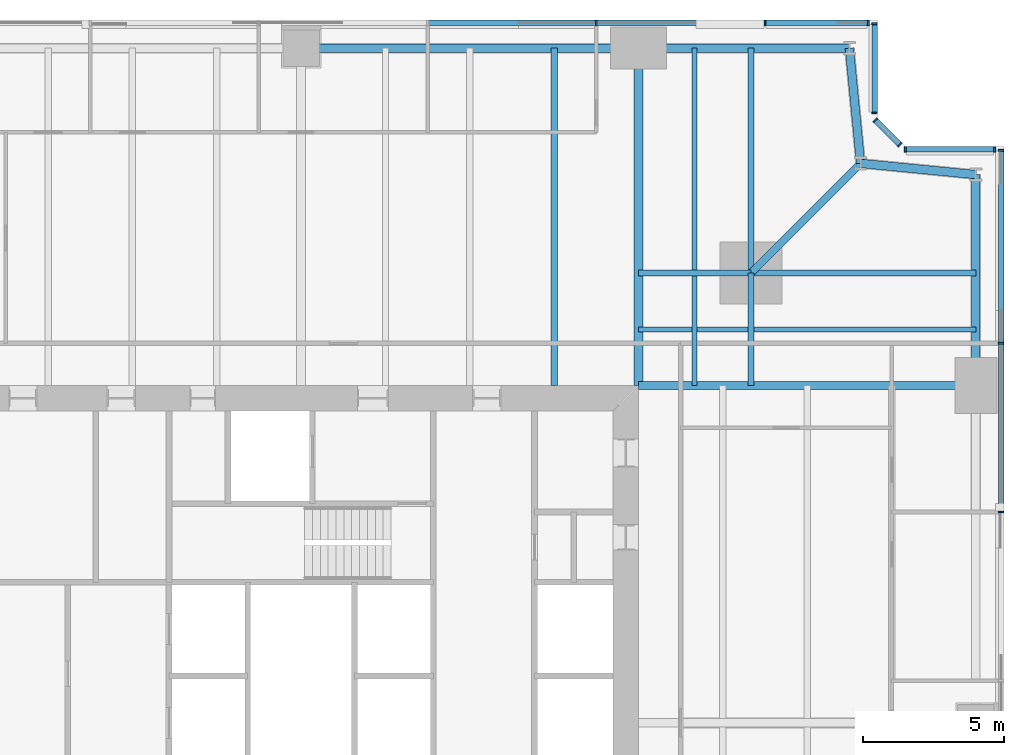
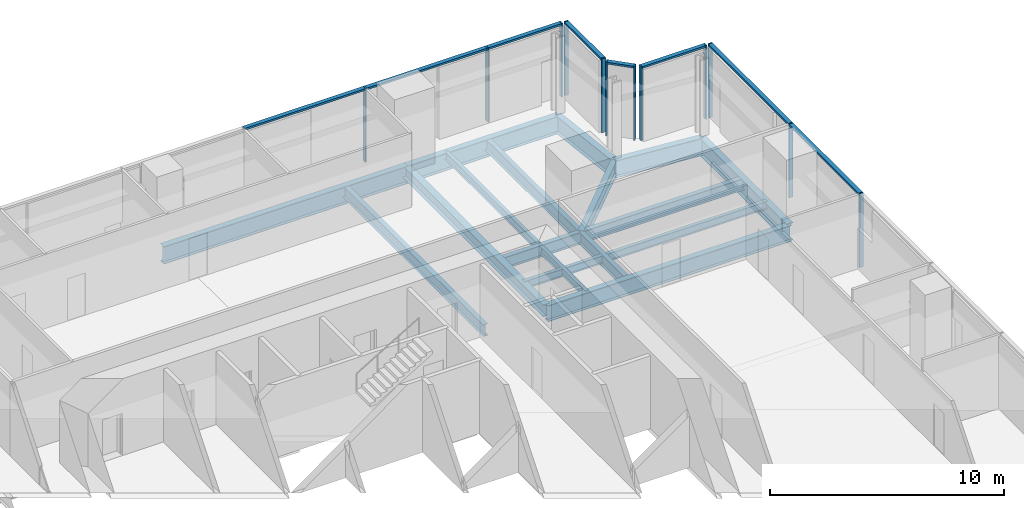
# One storey, part 7 of 13: 20 members, 18 beams, 5 elements without a shape of their own.
"""IFC4 building model written with IfcOpenShell, lengths in metres."""

from ifc_helpers import new_model, si_unit, direction, frame, origin, origin_2d, place, context, subcontext, project, spatial, rectangle, i_section, extrude, material, material_profile, profile_set, type_object, element, aggregate, save


model = new_model("IFC4")

# Units and contexts
model_context = context("Model", 3, precision=1e-05, world=origin(), true_north=direction((0.0, 1.0)))
body_context = subcontext(model_context, "Body", "Model", "MODEL_VIEW")
ifc_project = project(units=[si_unit("LENGTHUNIT", "METRE"), si_unit("AREAUNIT", "SQUARE_METRE"), si_unit("VOLUMEUNIT", "CUBIC_METRE"), si_unit("PLANEANGLEUNIT", "RADIAN"), si_unit("MASSUNIT", "GRAM", prefix="KILO")], contexts=[model_context])

# Site, building, storey
site_placement = place(None, origin())
site = spatial("IfcSite", under=ifc_project, at=site_placement, CompositionType="ELEMENT")
building_placement = place(site_placement, origin())
building = spatial("IfcBuilding", under=site, at=building_placement, Name="Fenwick Lantern Interchange", CompositionType="ELEMENT")
storey_placement = place(building_placement, frame((0.0, 0.0, 138.39990234375)))
storey = spatial("IfcBuildingStorey", under=building, at=storey_placement, Name="L32", CompositionType="ELEMENT", Elevation=138.39990234375)

# Beams
ifc_material_1 = material(Name="Steel ASTM A992 Grade 50", Category="steel")
ifc_material_profile_1 = material_profile(ifc_material_1, i_section(OverallWidth=0.3046875, OverallDepth=0.911865234375, WebThickness=0.015869140625, FlangeThickness=0.02392578125, at=origin_2d()), Name="W36X150")
ifc_profile_set_1 = profile_set([ifc_material_profile_1], Name="Steel ASTM A992 Grade 50")
beam_type_1 = type_object("IfcBeamType", Name="EDGE BEAM W36X150", PredefinedType="SPANDREL", material=ifc_profile_set_1)
beam_1_placement = place(storey_placement, frame((49.0, 37.0, -0.605712890625), z_axis=(0.0, 1.0, 0.0), x_axis=(-1.0, 0.0, 0.0)))
element("IfcBeam", 1, at=beam_1_placement, inside=storey, type_object=beam_type_1, Name="L32/FR/E/EB4", PredefinedType="SPANDREL", context=body_context, shape_type="SweptSolid", body=[
    extrude(i_section(OverallWidth=0.3046875, OverallDepth=0.911865234375, WebThickness=0.015869140625, FlangeThickness=0.02392578125, at=origin_2d()), origin(), (0.0, 0.0, 1.0), 7.5),
])
for number, where, z_axis, x_axis, name in (
    (2, (49.0, 44.5, -0.605712890625), (-0.995277148028, 0.097074191287, 0.0), (-0.097074191287, -0.995277148028, 0.0), "L32/FR/E/EBR1"),
    (3, (44.89990234375, 44.89990234375, -0.605712890625), (-0.097074191287, 0.995277148028, 0.0), (-0.995277148028, -0.097074191287, 0.0), "L32/FR/E/EBR2"),
):
    element("IfcBeam", number, at=place(storey_placement, frame(where, z_axis=z_axis, x_axis=x_axis)), inside=storey, type_object=beam_type_1, Name=name, PredefinedType="SPANDREL", context=body_context, shape_type="SweptSolid", body=[
        extrude(i_section(OverallWidth=0.3046875, OverallDepth=0.911865234375, WebThickness=0.015869140625, FlangeThickness=0.02392578125, at=origin_2d()), origin(), (0.0, 0.0, 1.0), 4.11962890625),
    ])
beam_2_placement = place(storey_placement, frame((44.5, 49.0, -0.605712890625), z_axis=(-1.0, 0.0, 0.0), x_axis=(0.0, -1.0, 0.0)))
element("IfcBeam", 4, at=beam_2_placement, inside=storey, type_object=beam_type_1, Name="L32/FR/N/EB1", PredefinedType="SPANDREL", context=body_context, shape_type="SweptSolid", body=[
    extrude(i_section(OverallWidth=0.3046875, OverallDepth=0.911865234375, WebThickness=0.015869140625, FlangeThickness=0.02392578125, at=origin_2d()), origin(), (0.0, 0.0, 1.0), 7.5),
])
beam_3_placement = place(storey_placement, frame((37.0, 49.0, -0.605712890625), z_axis=(-1.0, 0.0, 0.0), x_axis=(0.0, -1.0, 0.0)))
element("IfcBeam", 5, at=beam_3_placement, inside=storey, type_object=beam_type_1, Name="L32/FR/N/EB2", PredefinedType="SPANDREL", context=body_context, shape_type="SweptSolid", body=[
    extrude(i_section(OverallWidth=0.3046875, OverallDepth=0.911865234375, WebThickness=0.015869140625, FlangeThickness=0.02392578125, at=origin_2d()), origin(), (0.0, 0.0, 1.0), 12.0),
])
ifc_material_profile_2 = material_profile(ifc_material_1, i_section(OverallWidth=0.22900390625, OverallDepth=0.612060546875, WebThickness=0.011962890625, FlangeThickness=0.01953125, at=origin_2d()), Name="W24X84")
ifc_profile_set_2 = profile_set([ifc_material_profile_2], Name="Steel ASTM A992 Grade 50")
beam_type_2 = type_object("IfcBeamType", Name="FLOOR BEAM W24X84", PredefinedType="BEAM", material=ifc_profile_set_2)
beam_4_placement = place(storey_placement, frame((34.0, 49.0, -0.4560546875), z_axis=(0.0, -1.0, 0.0), x_axis=(1.0, 0.0, 0.0)))
element("IfcBeam", 6, at=beam_4_placement, inside=storey, type_object=beam_type_2, Name="L32/FR/N/R02", PredefinedType="BEAM", context=body_context, shape_type="SweptSolid", body=[
    extrude(i_section(OverallWidth=0.22900390625, OverallDepth=0.612060546875, WebThickness=0.011962890625, FlangeThickness=0.01953125, at=origin_2d()), origin(), (0.0, 0.0, 1.0), 12.0),
])
ifc_material_profile_3 = material_profile(ifc_material_1, i_section(OverallWidth=0.177734375, OverallDepth=0.406494140625, WebThickness=0.0078125, FlangeThickness=0.012939453125, at=origin_2d()), Name="W16X40")
ifc_profile_set_3 = profile_set([ifc_material_profile_3], Name="Steel ASTM A992 Grade 50")
beam_type_3 = type_object("IfcBeamType", Name="INFILL BEAM W16X40", PredefinedType="JOIST", material=ifc_profile_set_3)
beam_5_placement = place(storey_placement, frame((39.0, 49.0, -0.35302734375), z_axis=(0.0, -1.0, 0.0), x_axis=(1.0, 0.0, 0.0)))
element("IfcBeam", 7, at=beam_5_placement, inside=storey, type_object=beam_type_3, Name="L32/FR/N/J1", PredefinedType="JOIST", context=body_context, shape_type="SweptSolid", body=[
    extrude(i_section(OverallWidth=0.177734375, OverallDepth=0.406494140625, WebThickness=0.0078125, FlangeThickness=0.012939453125, at=origin_2d()), origin(), (0.0, 0.0, 1.0), 7.885498046875),
])
beam_6_placement = place(storey_placement, frame((39.0, 40.885498046875, -0.35302734375), z_axis=(0.0, -1.0, 0.0), x_axis=(1.0, 0.0, 0.0)))
element("IfcBeam", 8, at=beam_6_placement, inside=storey, type_object=beam_type_3, Name="L32/FR/N/J2", PredefinedType="JOIST", context=body_context, shape_type="SweptSolid", body=[
    extrude(i_section(OverallWidth=0.177734375, OverallDepth=0.406494140625, WebThickness=0.0078125, FlangeThickness=0.012939453125, at=origin_2d()), origin(), (0.0, 0.0, 1.0), 3.885498046875),
])
beam_7_placement = place(storey_placement, frame((49.0, 39.0, -0.35302734375), z_axis=(-1.0, 0.0, 0.0), x_axis=(0.0, -1.0, 0.0)))
element("IfcBeam", 9, at=beam_7_placement, inside=storey, type_object=beam_type_3, Name="L32/FR/N/J3", PredefinedType="JOIST", context=body_context, shape_type="SweptSolid", body=[
    extrude(i_section(OverallWidth=0.177734375, OverallDepth=0.406494140625, WebThickness=0.0078125, FlangeThickness=0.012939453125, at=origin_2d()), origin(), (0.0, 0.0, 1.0), 7.885498046875),
])
beam_8_placement = place(storey_placement, frame((40.885498046875, 39.0, -0.35302734375), z_axis=(-1.0, 0.0, 0.0), x_axis=(0.0, -1.0, 0.0)))
element("IfcBeam", 10, at=beam_8_placement, inside=storey, type_object=beam_type_3, Name="L32/FR/N/J4", PredefinedType="JOIST", context=body_context, shape_type="SweptSolid", body=[
    extrude(i_section(OverallWidth=0.177734375, OverallDepth=0.406494140625, WebThickness=0.0078125, FlangeThickness=0.012939453125, at=origin_2d()), origin(), (0.0, 0.0, 1.0), 1.796630859375),
])
beam_9_placement = place(storey_placement, frame((38.9111328125, 39.0, -0.35302734375), z_axis=(-1.0, 0.0, 0.0), x_axis=(0.0, -1.0, 0.0)))
element("IfcBeam", 11, at=beam_9_placement, inside=storey, type_object=beam_type_3, Name="L32/FR/N/J5", PredefinedType="JOIST", context=body_context, shape_type="SweptSolid", body=[
    extrude(i_section(OverallWidth=0.177734375, OverallDepth=0.406494140625, WebThickness=0.0078125, FlangeThickness=0.012939453125, at=origin_2d()), origin(), (0.0, 0.0, 1.0), 1.9111328125),
])
ifc_material_profile_4 = material_profile(ifc_material_1, i_section(OverallWidth=0.22900390625, OverallDepth=0.612060546875, WebThickness=0.011962890625, FlangeThickness=0.01953125, at=origin_2d()), Name="W24X84")
ifc_profile_set_4 = profile_set([ifc_material_profile_4], Name="Steel ASTM A992 Grade 50")
beam_type_4 = type_object("IfcBeamType", Name="MEGA COLUMN BEAM W24X84", PredefinedType="BEAM", material=ifc_profile_set_4)
for number, where, z_axis, x_axis, name in (
    (12, (41.0, 41.0, -0.4560546875), (0.0, 1.0, 0.0), (-1.0, 0.0, 0.0), "L32/FR/N/MB1"),
    (13, (41.0, 41.0, -0.4560546875), (1.0, 0.0, 0.0), (0.0, 1.0, 0.0), "L32/FR/N/MB2"),
):
    element("IfcBeam", number, at=place(storey_placement, frame(where, z_axis=z_axis, x_axis=x_axis)), inside=storey, type_object=beam_type_4, Name=name, PredefinedType="BEAM", context=body_context, shape_type="SweptSolid", body=[
        extrude(i_section(OverallWidth=0.22900390625, OverallDepth=0.612060546875, WebThickness=0.011962890625, FlangeThickness=0.01953125, at=origin_2d()), origin(), (0.0, 0.0, 1.0), 8.0),
    ])
for number, where, z_axis, x_axis, name in (
    (14, (41.0, 41.0, -0.4560546875), (-1.0, 0.0, 0.0), (0.0, -1.0, 0.0), "L32/FR/N/MB3"),
    (15, (41.0, 41.0, -0.4560546875), (0.0, -1.0, 0.0), (1.0, 0.0, 0.0), "L32/FR/N/MB4"),
):
    element("IfcBeam", number, at=place(storey_placement, frame(where, z_axis=z_axis, x_axis=x_axis)), inside=storey, type_object=beam_type_4, Name=name, PredefinedType="BEAM", context=body_context, shape_type="SweptSolid", body=[
        extrude(i_section(OverallWidth=0.22900390625, OverallDepth=0.612060546875, WebThickness=0.011962890625, FlangeThickness=0.01953125, at=origin_2d()), origin(), (0.0, 0.0, 1.0), 4.0),
    ])
ifc_material_profile_5 = material_profile(ifc_material_1, i_section(OverallWidth=0.32763671875, OverallDepth=0.622314453125, WebThickness=0.015380859375, FlangeThickness=0.0244140625, at=origin_2d()), Name="W24X131")
ifc_profile_set_5 = profile_set([ifc_material_profile_5], Name="Steel ASTM A992 Grade 50")
beam_type_5 = type_object("IfcBeamType", Name="MOMENT-CONNECTED GIRDER W24X131", PredefinedType="BEAM", material=ifc_profile_set_5)
beam_10_placement = place(storey_placement, frame((37.0, 49.0, -0.4609375), z_axis=(0.0, -1.0, 0.0), x_axis=(1.0, 0.0, 0.0)))
element("IfcBeam", 16, at=beam_10_placement, inside=storey, type_object=beam_type_5, Name="L32/FR/N/R01", PredefinedType="BEAM", context=body_context, shape_type="SweptSolid", body=[
    extrude(i_section(OverallWidth=0.32763671875, OverallDepth=0.622314453125, WebThickness=0.015380859375, FlangeThickness=0.0244140625, at=origin_2d()), origin(), (0.0, 0.0, 1.0), 12.0),
])
ifc_material_profile_6 = material_profile(ifc_material_1, i_section(OverallWidth=0.2919921875, OverallDepth=0.845703125, WebThickness=0.015380859375, FlangeThickness=0.0244140625, at=origin_2d()), Name="W33X141")
ifc_profile_set_6 = profile_set([ifc_material_profile_6], Name="Steel ASTM A992 Grade 50")
beam_type_6 = type_object("IfcBeamType", Name="MOMENT-CONNECTED GIRDER W33X141", PredefinedType="BEAM", material=ifc_profile_set_6)
beam_11_placement = place(storey_placement, frame((49.0, 37.0, -0.57275390625), z_axis=(-1.0, 0.0, 0.0), x_axis=(0.0, -1.0, 0.0)))
element("IfcBeam", 17, at=beam_11_placement, inside=storey, type_object=beam_type_6, Name="L32/FR/E/R03", PredefinedType="BEAM", context=body_context, shape_type="SweptSolid", body=[
    extrude(i_section(OverallWidth=0.2919921875, OverallDepth=0.845703125, WebThickness=0.015380859375, FlangeThickness=0.0244140625, at=origin_2d()), origin(), (0.0, 0.0, 1.0), 12.0),
])
ifc_material_profile_7 = material_profile(ifc_material_1, i_section(OverallWidth=0.2666015625, OverallDepth=0.7568359375, WebThickness=0.013916015625, FlangeThickness=0.019287109375, at=origin_2d()), Name="W30X108")
ifc_profile_set_7 = profile_set([ifc_material_profile_7], Name="Steel ASTM A992 Grade 50")
beam_type_7 = type_object("IfcBeamType", Name="NOTCH BEAM W30X108", PredefinedType="BEAM", material=ifc_profile_set_7)
beam_12_placement = place(storey_placement, frame((41.0, 41.0, -0.5283203125), z_axis=(0.707106781187, 0.707106781187, 0.0), x_axis=(-0.707106781187, 0.707106781187, 0.0)))
element("IfcBeam", 18, at=beam_12_placement, inside=storey, type_object=beam_type_7, Name="L32/FR/N/TG", PredefinedType="BEAM", context=body_context, shape_type="SweptSolid", body=[
    extrude(i_section(OverallWidth=0.2666015625, OverallDepth=0.7568359375, WebThickness=0.013916015625, FlangeThickness=0.019287109375, at=origin_2d()), origin(), (0.0, 0.0, 1.0), 5.515380859375),
])

# Curtain wall, members
ifc_material_2 = material(Name="Aluminium curtain wall frame", Category="aluminium")
curtain_wall_type = type_object("IfcCurtainWallType", Name="OFFICE CURTAIN WALL", PredefinedType="USERDEFINED", material=ifc_material_2)
curtain_wall_1_placement = place(storey_placement, origin())
curtain_wall_1 = element("IfcCurtainWall", 19, at=curtain_wall_1_placement, inside=storey, type_object=curtain_wall_type, Name="Office curtain wall 05", ObjectType="OFFICE CURTAIN WALL", PredefinedType="USERDEFINED")
ifc_material_3 = material(Name="Aluminium extrusion", Category="aluminium")
ifc_material_profile_8 = material_profile(ifc_material_3, rectangle(XDim=0.199951171875, YDim=0.06494140625, at=origin_2d()), Name="OFFICE CURTAIN WALL MULLION 65 X 200")
ifc_profile_set_8 = profile_set([ifc_material_profile_8], Name="Aluminium extrusion")
member_type_1 = type_object("IfcMemberType", Name="OFFICE CURTAIN WALL MULLION 65 X 200", PredefinedType="MULLION", material=ifc_profile_set_8)
member_1_placement = place(storey_placement, frame((49.89990234375, 32.5, 0.0), z_axis=(0.0, 0.0, 1.0), x_axis=(-1.0, 0.0, 0.0)))
member_1 = element("IfcMember", 20, at=member_1_placement, type_object=member_type_1, Name="L32/CW/05/M05", PredefinedType="MULLION", context=body_context, shape_type="SweptSolid", body=[
    extrude(rectangle(XDim=0.199951171875, YDim=0.06494140625, at=origin_2d()), origin(), (0.0, 0.0, 1.0), 3.85009765625),
])
member_2_placement = place(storey_placement, frame((49.89990234375, 38.5, 0.0), z_axis=(0.0, 0.0, 1.0), x_axis=(-1.0, 0.0, 0.0)))
member_2 = element("IfcMember", 21, at=member_2_placement, type_object=member_type_1, Name="L32/CW/05/M06", PredefinedType="MULLION", context=body_context, shape_type="SweptSolid", body=[
    extrude(rectangle(XDim=0.199951171875, YDim=0.06494140625, at=origin_2d()), origin(), (0.0, 0.0, 1.0), 3.85009765625),
])
member_3_placement = place(storey_placement, frame((49.89990234375, 45.367431640625, 0.0), z_axis=(0.0, 0.0, 1.0), x_axis=(-1.0, 0.0, 0.0)))
member_3 = element("IfcMember", 22, at=member_3_placement, type_object=member_type_1, Name="L32/CW/05/M07", PredefinedType="MULLION", context=body_context, shape_type="SweptSolid", body=[
    extrude(rectangle(XDim=0.199951171875, YDim=0.06494140625, at=origin_2d()), origin(), (0.0, 0.0, 1.0), 3.85009765625),
])

curtain_wall_2_placement = place(storey_placement, origin())
curtain_wall_2 = element("IfcCurtainWall", 23, at=curtain_wall_2_placement, inside=storey, type_object=curtain_wall_type, Name="Office curtain wall 06", ObjectType="OFFICE CURTAIN WALL", PredefinedType="USERDEFINED")
member_4_placement = place(storey_placement, frame((49.66748046875, 45.39990234375, 0.0), z_axis=(0.0, 0.0, 1.0), x_axis=(0.0, -1.0, 0.0)))
member_4 = element("IfcMember", 24, at=member_4_placement, type_object=member_type_1, Name="L32/CW/06/M00", PredefinedType="MULLION", context=body_context, shape_type="SweptSolid", body=[
    extrude(rectangle(XDim=0.199951171875, YDim=0.06494140625, at=origin_2d()), origin(), (0.0, 0.0, 1.0), 3.85009765625),
])
member_5_placement = place(storey_placement, frame((46.490966796875, 45.39990234375, 0.0), z_axis=(0.0, 0.0, 1.0), x_axis=(0.0, -1.0, 0.0)))
member_5 = element("IfcMember", 25, at=member_5_placement, type_object=member_type_1, Name="L32/CW/06/M01", PredefinedType="MULLION", context=body_context, shape_type="SweptSolid", body=[
    extrude(rectangle(XDim=0.199951171875, YDim=0.06494140625, at=origin_2d()), origin(), (0.0, 0.0, 1.0), 3.85009765625),
])

curtain_wall_3_placement = place(storey_placement, origin())
curtain_wall_3 = element("IfcCurtainWall", 26, at=curtain_wall_3_placement, inside=storey, type_object=curtain_wall_type, Name="Office curtain wall 07", ObjectType="OFFICE CURTAIN WALL", PredefinedType="USERDEFINED")
member_6_placement = place(storey_placement, frame((46.294189453125, 45.564453125, 0.0), z_axis=(0.0, 0.0, 1.0), x_axis=(-0.707106781187, -0.707106781187, 0.0)))
member_6 = element("IfcMember", 27, at=member_6_placement, type_object=member_type_1, Name="L32/CW/07/M00", PredefinedType="MULLION", context=body_context, shape_type="SweptSolid", body=[
    extrude(rectangle(XDim=0.199951171875, YDim=0.06494140625, at=origin_2d()), origin(), (0.0, 0.0, 1.0), 3.85009765625),
])
member_7_placement = place(storey_placement, frame((45.423095703125, 46.435546875, 0.0), z_axis=(0.0, 0.0, 1.0), x_axis=(-0.707106781187, -0.707106781187, 0.0)))
member_7 = element("IfcMember", 28, at=member_7_placement, type_object=member_type_1, Name="L32/CW/07/M01", PredefinedType="MULLION", context=body_context, shape_type="SweptSolid", body=[
    extrude(rectangle(XDim=0.199951171875, YDim=0.06494140625, at=origin_2d()), origin(), (0.0, 0.0, 1.0), 3.85009765625),
])

curtain_wall_4_placement = place(storey_placement, origin())
curtain_wall_4 = element("IfcCurtainWall", 29, at=curtain_wall_4_placement, inside=storey, type_object=curtain_wall_type, Name="Office curtain wall 08", ObjectType="OFFICE CURTAIN WALL", PredefinedType="USERDEFINED")
member_8_placement = place(storey_placement, frame((45.39990234375, 46.691162109375, 0.0), z_axis=(0.0, 0.0, 1.0), x_axis=(-1.0, 0.0, 0.0)))
member_8 = element("IfcMember", 30, at=member_8_placement, type_object=member_type_1, Name="L32/CW/08/M00", PredefinedType="MULLION", context=body_context, shape_type="SweptSolid", body=[
    extrude(rectangle(XDim=0.199951171875, YDim=0.06494140625, at=origin_2d()), origin(), (0.0, 0.0, 1.0), 3.85009765625),
])
member_9_placement = place(storey_placement, frame((45.39990234375, 49.867431640625, 0.0), z_axis=(0.0, 0.0, 1.0), x_axis=(-1.0, 0.0, 0.0)))
member_9 = element("IfcMember", 31, at=member_9_placement, type_object=member_type_1, Name="L32/CW/08/M01", PredefinedType="MULLION", context=body_context, shape_type="SweptSolid", body=[
    extrude(rectangle(XDim=0.199951171875, YDim=0.06494140625, at=origin_2d()), origin(), (0.0, 0.0, 1.0), 3.85009765625),
])

curtain_wall_5_placement = place(storey_placement, origin())
curtain_wall_5 = element("IfcCurtainWall", 32, at=curtain_wall_5_placement, inside=storey, type_object=curtain_wall_type, Name="Office curtain wall 09", ObjectType="OFFICE CURTAIN WALL", PredefinedType="USERDEFINED")
member_10_placement = place(storey_placement, frame((45.16748046875, 49.89990234375, 0.0), z_axis=(0.0, 0.0, 1.0), x_axis=(0.0, -1.0, 0.0)))
member_10 = element("IfcMember", 33, at=member_10_placement, type_object=member_type_1, Name="L32/CW/09/M00", PredefinedType="MULLION", context=body_context, shape_type="SweptSolid", body=[
    extrude(rectangle(XDim=0.199951171875, YDim=0.06494140625, at=origin_2d()), origin(), (0.0, 0.0, 1.0), 3.85009765625),
])
member_11_placement = place(storey_placement, frame((41.5, 49.89990234375, 0.0), z_axis=(0.0, 0.0, 1.0), x_axis=(0.0, -1.0, 0.0)))
member_11 = element("IfcMember", 34, at=member_11_placement, type_object=member_type_1, Name="L32/CW/09/M01", PredefinedType="MULLION", context=body_context, shape_type="SweptSolid", body=[
    extrude(rectangle(XDim=0.199951171875, YDim=0.06494140625, at=origin_2d()), origin(), (0.0, 0.0, 1.0), 3.85009765625),
])
member_12_placement = place(storey_placement, frame((35.5, 49.89990234375, 0.0), z_axis=(0.0, 0.0, 1.0), x_axis=(0.0, -1.0, 0.0)))
member_12 = element("IfcMember", 35, at=member_12_placement, type_object=member_type_1, Name="L32/CW/09/M02", PredefinedType="MULLION", context=body_context, shape_type="SweptSolid", body=[
    extrude(rectangle(XDim=0.199951171875, YDim=0.06494140625, at=origin_2d()), origin(), (0.0, 0.0, 1.0), 3.85009765625),
])

# Member
ifc_material_profile_9 = material_profile(ifc_material_3, rectangle(XDim=0.199951171875, YDim=0.10009765625, at=origin_2d()), Name="OFFICE CURTAIN WALL TRANSOM 100 X 200")
ifc_profile_set_9 = profile_set([ifc_material_profile_9], Name="Aluminium extrusion")
member_type_2 = type_object("IfcMemberType", Name="OFFICE CURTAIN WALL TRANSOM 100 X 200", PredefinedType="MULLION", material=ifc_profile_set_9)
member_13_placement = place(storey_placement, frame((49.89990234375, 32.532470703125, 3.800048828125), z_axis=(0.0, 1.0, 0.0), x_axis=(-1.0, 0.0, 0.0)))
member_13 = element("IfcMember", 36, at=member_13_placement, type_object=member_type_2, Name="L32/CW/05/T05", PredefinedType="MULLION", context=body_context, shape_type="SweptSolid", body=[
    extrude(rectangle(XDim=0.199951171875, YDim=0.10009765625, at=origin_2d()), origin(), (0.0, 0.0, 1.0), 5.93505859375),
])

member_14_placement = place(storey_placement, frame((49.89990234375, 38.532470703125, 3.800048828125), z_axis=(0.0, 1.0, 0.0), x_axis=(-1.0, 0.0, 0.0)))
member_14 = element("IfcMember", 37, at=member_14_placement, type_object=member_type_2, Name="L32/CW/05/T06", PredefinedType="MULLION", context=body_context, shape_type="SweptSolid", body=[
    extrude(rectangle(XDim=0.199951171875, YDim=0.10009765625, at=origin_2d()), origin(), (0.0, 0.0, 1.0), 6.802490234375),
])

aggregate(curtain_wall_1, [member_1, member_2, member_3, member_13, member_14])

member_15_placement = place(storey_placement, frame((49.635009765625, 45.39990234375, 3.800048828125), z_axis=(-1.0, 0.0, 0.0), x_axis=(0.0, -1.0, 0.0)))
member_15 = element("IfcMember", 38, at=member_15_placement, type_object=member_type_2, Name="L32/CW/06/T00", PredefinedType="MULLION", context=body_context, shape_type="SweptSolid", body=[
    extrude(rectangle(XDim=0.199951171875, YDim=0.10009765625, at=origin_2d()), origin(), (0.0, 0.0, 1.0), 3.111328125),
])

aggregate(curtain_wall_2, [member_4, member_5, member_15])

member_16_placement = place(storey_placement, frame((46.271240234375, 45.58740234375, 3.800048828125), z_axis=(-0.707106781187, 0.707106781187, 0.0), x_axis=(-0.707106781187, -0.707106781187, 0.0)))
member_16 = element("IfcMember", 39, at=member_16_placement, type_object=member_type_2, Name="L32/CW/07/T00", PredefinedType="MULLION", context=body_context, shape_type="SweptSolid", body=[
    extrude(rectangle(XDim=0.199951171875, YDim=0.10009765625, at=origin_2d()), origin(), (0.0, 0.0, 1.0), 1.1669921875),
])

aggregate(curtain_wall_3, [member_6, member_7, member_16])

member_17_placement = place(storey_placement, frame((45.39990234375, 46.7236328125, 3.800048828125), z_axis=(0.0, 1.0, 0.0), x_axis=(-1.0, 0.0, 0.0)))
member_17 = element("IfcMember", 40, at=member_17_placement, type_object=member_type_2, Name="L32/CW/08/T00", PredefinedType="MULLION", context=body_context, shape_type="SweptSolid", body=[
    extrude(rectangle(XDim=0.199951171875, YDim=0.10009765625, at=origin_2d()), origin(), (0.0, 0.0, 1.0), 3.111328125),
])

aggregate(curtain_wall_4, [member_8, member_9, member_17])

member_18_placement = place(storey_placement, frame((45.135009765625, 49.89990234375, 3.800048828125), z_axis=(-1.0, 0.0, 0.0), x_axis=(0.0, -1.0, 0.0)))
member_18 = element("IfcMember", 41, at=member_18_placement, type_object=member_type_2, Name="L32/CW/09/T00", PredefinedType="MULLION", context=body_context, shape_type="SweptSolid", body=[
    extrude(rectangle(XDim=0.199951171875, YDim=0.10009765625, at=origin_2d()), origin(), (0.0, 0.0, 1.0), 3.6025390625),
])

member_19_placement = place(storey_placement, frame((41.467529296875, 49.89990234375, 3.800048828125), z_axis=(-1.0, 0.0, 0.0), x_axis=(0.0, -1.0, 0.0)))
member_19 = element("IfcMember", 42, at=member_19_placement, type_object=member_type_2, Name="L32/CW/09/T01", PredefinedType="MULLION", context=body_context, shape_type="SweptSolid", body=[
    extrude(rectangle(XDim=0.199951171875, YDim=0.10009765625, at=origin_2d()), origin(), (0.0, 0.0, 1.0), 5.93505859375),
])

member_20_placement = place(storey_placement, frame((35.467529296875, 49.89990234375, 3.800048828125), z_axis=(-1.0, 0.0, 0.0), x_axis=(0.0, -1.0, 0.0)))
member_20 = element("IfcMember", 43, at=member_20_placement, type_object=member_type_2, Name="L32/CW/09/T02", PredefinedType="MULLION", context=body_context, shape_type="SweptSolid", body=[
    extrude(rectangle(XDim=0.199951171875, YDim=0.10009765625, at=origin_2d()), origin(), (0.0, 0.0, 1.0), 5.93505859375),
])

aggregate(curtain_wall_5, [member_10, member_11, member_12, member_18, member_19, member_20])

save(model, "model.ifc")
